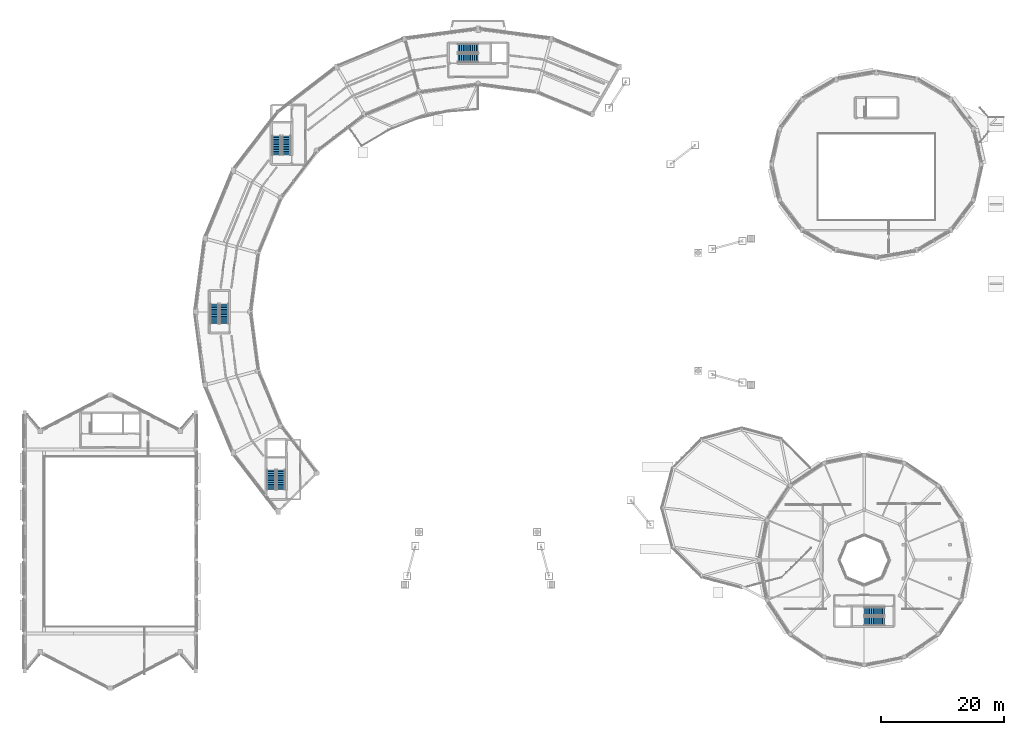
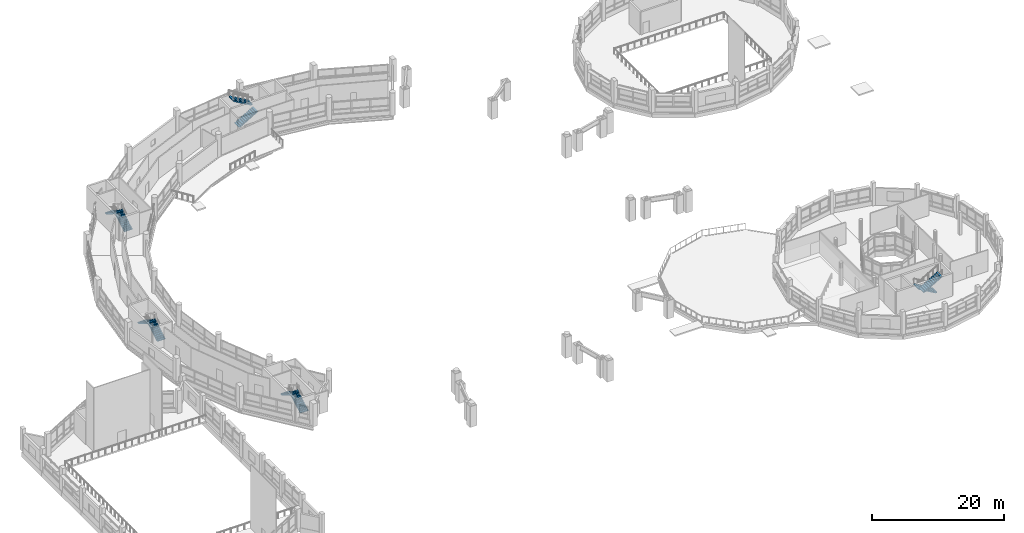
# One storey, part 116 of 128: 10 stair flights, 5 elements without a shape of their own.
"""IFC4 building model written with IfcOpenShell, lengths in metres."""

from ifc_helpers import new_model, si_unit, direction, frame, origin, place, context, subcontext, project, spatial, polyline, outline, extrude, material, type_object, element, aggregate, save


model = new_model("IFC4")

# Units and contexts
model_context = context("Model", 3, precision=1e-05, world=origin(), true_north=direction((0.0, 1.0)))
body_context = subcontext(model_context, "Body", "Model", "MODEL_VIEW")
ifc_project = project(units=[si_unit("LENGTHUNIT", "METRE"), si_unit("AREAUNIT", "SQUARE_METRE"), si_unit("VOLUMEUNIT", "CUBIC_METRE"), si_unit("PLANEANGLEUNIT", "RADIAN"), si_unit("MASSUNIT", "GRAM", prefix="KILO")], contexts=[model_context])

# Site, building, storey
site_placement = place(None, origin())
site = spatial("IfcSite", under=ifc_project, at=site_placement, CompositionType="ELEMENT")
building_placement = place(site_placement, origin())
building = spatial("IfcBuilding", under=site, at=building_placement, Name="Vespera Passage Community Centre", CompositionType="ELEMENT")
storey_placement = place(building_placement, frame((0.0, 0.0, 4.5)))
storey = spatial("IfcBuildingStorey", under=building, at=storey_placement, Name="L01", CompositionType="ELEMENT", Elevation=4.5)

# Stair, stair flights
ifc_material_1 = material(Name="Concrete f'c 35 MPa", Category="concrete")
stair_type_1 = type_object("IfcStairType", Name="ST-T01", PredefinedType="HALF_TURN_STAIR", material=ifc_material_1)
stair_1_placement = place(storey_placement, origin())
stair_1 = element("IfcStair", 1, at=stair_1_placement, inside=storey, type_object=stair_type_1, Name="L01 Core C1 Exit Stair ST03", PredefinedType="HALF_TURN_STAIR")
ifc_material_2 = material(Name="Concrete f'c 35 MPa", Category="concrete")
stair_flight_type_1 = type_object("IfcStairFlightType", Name="STF-T01", PredefinedType="STRAIGHT", material=ifc_material_2)
stair_flight_1_placement = place(storey_placement, frame((46.73291015625, 91.077880859375, 0.0), z_axis=(0.0, 0.0, 1.0), x_axis=(0.0, 1.0, 0.0)))
stair_flight_1 = element("IfcStairFlight", 2, at=stair_flight_1_placement, type_object=stair_flight_type_1, Name="ST03 flight 1", NumberOfRisers=12, NumberOfTreads=11, PredefinedType="STRAIGHT", RiserHeight=0.175, TreadLength=0.285, context=body_context, shape_type="SweptSolid", body=[
    extrude(outline(polyline([(0.0, 0.0), (0.0, 0.175048828125), (0.284912109375, 0.175048828125), (0.284912109375, 0.35009765625), (0.570068359375, 0.35009765625), (0.570068359375, 0.52490234375), (0.85498046875, 0.52490234375), (0.85498046875, 0.699951171875), (1.139892578125, 0.699951171875), (1.139892578125, 0.875), (1.425048828125, 0.875), (1.425048828125, 1.050048828125), (1.7099609375, 1.050048828125), (1.7099609375, 1.22509765625), (1.9951171875, 1.22509765625), (1.9951171875, 1.39990234375), (2.280029296875, 1.39990234375), (2.280029296875, 1.574951171875), (2.56494140625, 1.574951171875), (2.56494140625, 1.75), (2.85009765625, 1.75), (2.85009765625, 1.925048828125), (3.135009765625, 1.925048828125), (3.135009765625, 2.10009765625), (3.135009765625, 1.7490234375), (0.286376953125, 0.0), (0.0, 0.0)])), frame((0.0, 0.699951171875, 0.0), z_axis=(0.0, -1.0, 0.0), x_axis=(1.0, 0.0, 0.0)), (0.0, 0.0, 1.0), 1.39990234375),
])
stair_flight_2_placement = place(storey_placement, frame((45.133056640625, 94.212890625, 2.10009765625), z_axis=(0.0, 0.0, 1.0), x_axis=(0.0, -1.0, 0.0)))
stair_flight_2 = element("IfcStairFlight", 3, at=stair_flight_2_placement, type_object=stair_flight_type_1, Name="ST03 flight 2", NumberOfRisers=12, NumberOfTreads=11, PredefinedType="STRAIGHT", RiserHeight=0.175, TreadLength=0.285, context=body_context, shape_type="SweptSolid", body=[
    extrude(outline(polyline([(0.0, 0.0), (0.0, 0.175048828125), (0.284912109375, 0.175048828125), (0.284912109375, 0.35009765625), (0.570068359375, 0.35009765625), (0.570068359375, 0.52490234375), (0.85498046875, 0.52490234375), (0.85498046875, 0.699951171875), (1.139892578125, 0.699951171875), (1.139892578125, 0.875), (1.425048828125, 0.875), (1.425048828125, 1.050048828125), (1.7099609375, 1.050048828125), (1.7099609375, 1.22509765625), (1.9951171875, 1.22509765625), (1.9951171875, 1.39990234375), (2.280029296875, 1.39990234375), (2.280029296875, 1.574951171875), (2.56494140625, 1.574951171875), (2.56494140625, 1.75), (2.85009765625, 1.75), (2.85009765625, 1.925048828125), (3.135009765625, 1.925048828125), (3.135009765625, 2.10009765625), (3.135009765625, 1.7490234375), (0.286376953125, 0.0), (0.0, 0.0)])), frame((0.0, 0.699951171875, 0.0), z_axis=(0.0, -1.0, 0.0), x_axis=(1.0, 0.0, 0.0)), (0.0, 0.0, 1.0), 1.39990234375),
])
aggregate(stair_1, [stair_flight_1, stair_flight_2])

ifc_material_3 = material(Name="Concrete f'c 35 MPa", Category="concrete")
stair_type_2 = type_object("IfcStairType", Name="ST-T04", PredefinedType="HALF_TURN_STAIR", material=ifc_material_3)
stair_2_placement = place(storey_placement, origin())
stair_2 = element("IfcStair", 4, at=stair_2_placement, inside=storey, type_object=stair_type_2, Name="L01 Core C2 Exit Stair ST04", PredefinedType="HALF_TURN_STAIR")
ifc_material_4 = material(Name="Concrete f'c 35 MPa", Category="concrete")
stair_flight_type_2 = type_object("IfcStairFlightType", Name="STF-T04", PredefinedType="STRAIGHT", material=ifc_material_4)
stair_flight_3_placement = place(storey_placement, frame((36.60009765625, 63.574951171875, 0.0), z_axis=(0.0, 0.0, 1.0), x_axis=(0.0, 1.0, 0.0)))
stair_flight_3 = element("IfcStairFlight", 5, at=stair_flight_3_placement, type_object=stair_flight_type_2, Name="ST04 flight 1", NumberOfRisers=12, NumberOfTreads=11, PredefinedType="STRAIGHT", RiserHeight=0.175, TreadLength=0.29, context=body_context, shape_type="SweptSolid", body=[
    extrude(outline(polyline([(0.0, 0.0), (0.0, 0.175048828125), (0.2900390625, 0.175048828125), (0.2900390625, 0.35009765625), (0.580078125, 0.35009765625), (0.580078125, 0.52490234375), (0.8701171875, 0.52490234375), (0.8701171875, 0.699951171875), (1.159912109375, 0.699951171875), (1.159912109375, 0.875), (1.449951171875, 0.875), (1.449951171875, 1.050048828125), (1.739990234375, 1.050048828125), (1.739990234375, 1.22509765625), (2.030029296875, 1.22509765625), (2.030029296875, 1.39990234375), (2.320068359375, 1.39990234375), (2.320068359375, 1.574951171875), (2.610107421875, 1.574951171875), (2.610107421875, 1.75), (2.89990234375, 1.75), (2.89990234375, 1.925048828125), (3.18994140625, 1.925048828125), (3.18994140625, 2.10009765625), (3.18994140625, 1.75), (0.2900390625, 0.0), (0.0, 0.0)])), frame((0.0, 0.699951171875, 0.0), z_axis=(0.0, -1.0, 0.0), x_axis=(1.0, 0.0, 0.0)), (0.0, 0.0, 1.0), 1.39990234375),
])
stair_flight_4_placement = place(storey_placement, frame((35.0, 66.764892578125, 2.10009765625), z_axis=(0.0, 0.0, 1.0), x_axis=(0.0, -1.0, 0.0)))
stair_flight_4 = element("IfcStairFlight", 6, at=stair_flight_4_placement, type_object=stair_flight_type_2, Name="ST04 flight 2", NumberOfRisers=12, NumberOfTreads=11, PredefinedType="STRAIGHT", RiserHeight=0.175, TreadLength=0.29, context=body_context, shape_type="SweptSolid", body=[
    extrude(outline(polyline([(0.0, 0.0), (0.0, 0.175048828125), (0.2900390625, 0.175048828125), (0.2900390625, 0.35009765625), (0.580078125, 0.35009765625), (0.580078125, 0.52490234375), (0.8701171875, 0.52490234375), (0.8701171875, 0.699951171875), (1.159912109375, 0.699951171875), (1.159912109375, 0.875), (1.449951171875, 0.875), (1.449951171875, 1.050048828125), (1.739990234375, 1.050048828125), (1.739990234375, 1.22509765625), (2.030029296875, 1.22509765625), (2.030029296875, 1.39990234375), (2.320068359375, 1.39990234375), (2.320068359375, 1.574951171875), (2.610107421875, 1.574951171875), (2.610107421875, 1.75), (2.89990234375, 1.75), (2.89990234375, 1.925048828125), (3.18994140625, 1.925048828125), (3.18994140625, 2.10009765625), (3.18994140625, 1.75), (0.2900390625, 0.0), (0.0, 0.0)])), frame((0.0, 0.699951171875, 0.0), z_axis=(0.0, -1.0, 0.0), x_axis=(1.0, 0.0, 0.0)), (0.0, 0.0, 1.0), 1.39990234375),
])
aggregate(stair_2, [stair_flight_3, stair_flight_4])

ifc_material_5 = material(Name="Concrete f'c 35 MPa", Category="concrete")
stair_type_3 = type_object("IfcStairType", Name="ST-T07", PredefinedType="HALF_TURN_STAIR", material=ifc_material_5)
stair_3_placement = place(storey_placement, origin())
stair_3 = element("IfcStair", 7, at=stair_3_placement, inside=storey, type_object=stair_type_3, Name="L01 Core C3 Exit Stair ST05", PredefinedType="HALF_TURN_STAIR")
ifc_material_6 = material(Name="Concrete f'c 35 MPa", Category="concrete")
stair_flight_type_3 = type_object("IfcStairFlightType", Name="STF-T07", PredefinedType="STRAIGHT", material=ifc_material_6)
stair_flight_5_placement = place(storey_placement, frame((45.861083984375, 36.469970703125, 0.0), z_axis=(0.0, 0.0, 1.0), x_axis=(0.0, 1.0, 0.0)))
stair_flight_5 = element("IfcStairFlight", 8, at=stair_flight_5_placement, type_object=stair_flight_type_3, Name="ST05 flight 1", NumberOfRisers=12, NumberOfTreads=11, PredefinedType="STRAIGHT", RiserHeight=0.175, TreadLength=0.295, context=body_context, shape_type="SweptSolid", body=[
    extrude(outline(polyline([(0.0, 0.0), (0.0, 0.175048828125), (0.294921875, 0.175048828125), (0.294921875, 0.35009765625), (0.590087890625, 0.35009765625), (0.590087890625, 0.52490234375), (0.885009765625, 0.52490234375), (0.885009765625, 0.699951171875), (1.179931640625, 0.699951171875), (1.179931640625, 0.875), (1.47509765625, 0.875), (1.47509765625, 1.050048828125), (1.77001953125, 1.050048828125), (1.77001953125, 1.22509765625), (2.06494140625, 1.22509765625), (2.06494140625, 1.39990234375), (2.360107421875, 1.39990234375), (2.360107421875, 1.574951171875), (2.655029296875, 1.574951171875), (2.655029296875, 1.75), (2.949951171875, 1.75), (2.949951171875, 1.925048828125), (3.2451171875, 1.925048828125), (3.2451171875, 2.10009765625), (3.2451171875, 1.750732421875), (0.293701171875, 0.0), (0.0, 0.0)])), frame((0.0, 0.699951171875, 0.0), z_axis=(0.0, -1.0, 0.0), x_axis=(1.0, 0.0, 0.0)), (0.0, 0.0, 1.0), 1.39990234375),
])
stair_flight_6_placement = place(storey_placement, frame((44.260986328125, 39.715087890625, 2.10009765625), z_axis=(0.0, 0.0, 1.0), x_axis=(0.0, -1.0, 0.0)))
stair_flight_6 = element("IfcStairFlight", 9, at=stair_flight_6_placement, type_object=stair_flight_type_3, Name="ST05 flight 2", NumberOfRisers=12, NumberOfTreads=11, PredefinedType="STRAIGHT", RiserHeight=0.175, TreadLength=0.295, context=body_context, shape_type="SweptSolid", body=[
    extrude(outline(polyline([(0.0, 0.0), (0.0, 0.175048828125), (0.294921875, 0.175048828125), (0.294921875, 0.35009765625), (0.590087890625, 0.35009765625), (0.590087890625, 0.52490234375), (0.885009765625, 0.52490234375), (0.885009765625, 0.699951171875), (1.179931640625, 0.699951171875), (1.179931640625, 0.875), (1.47509765625, 0.875), (1.47509765625, 1.050048828125), (1.77001953125, 1.050048828125), (1.77001953125, 1.22509765625), (2.06494140625, 1.22509765625), (2.06494140625, 1.39990234375), (2.360107421875, 1.39990234375), (2.360107421875, 1.574951171875), (2.655029296875, 1.574951171875), (2.655029296875, 1.75), (2.949951171875, 1.75), (2.949951171875, 1.925048828125), (3.2451171875, 1.925048828125), (3.2451171875, 2.10009765625), (3.2451171875, 1.750732421875), (0.293701171875, 0.0), (0.0, 0.0)])), frame((0.0, 0.699951171875, 0.0), z_axis=(0.0, -1.0, 0.0), x_axis=(1.0, 0.0, 0.0)), (0.0, 0.0, 1.0), 1.39990234375),
])
aggregate(stair_3, [stair_flight_5, stair_flight_6])

ifc_material_7 = material(Name="Concrete f'c 35 MPa", Category="concrete")
stair_type_4 = type_object("IfcStairType", Name="ST-T10", PredefinedType="HALF_TURN_STAIR", material=ifc_material_7)
stair_4_placement = place(storey_placement, origin())
stair_4 = element("IfcStair", 10, at=stair_4_placement, inside=storey, type_object=stair_type_4, Name="L01 Core C4 Exit Stair ST06", PredefinedType="HALF_TURN_STAIR")
ifc_material_8 = material(Name="Concrete f'c 35 MPa", Category="concrete")
stair_flight_type_4 = type_object("IfcStairFlightType", Name="STF-T10", PredefinedType="STRAIGHT", material=ifc_material_8)
stair_flight_7_placement = place(storey_placement, frame((74.705078125, 106.89990234375, 0.0), z_axis=(0.0, 0.0, 1.0), x_axis=(1.0, 0.0, 0.0)))
stair_flight_7 = element("IfcStairFlight", 11, at=stair_flight_7_placement, type_object=stair_flight_type_4, Name="ST06 flight 1", NumberOfRisers=12, NumberOfTreads=11, PredefinedType="STRAIGHT", RiserHeight=0.175, TreadLength=0.3, context=body_context, shape_type="SweptSolid", body=[
    extrude(outline(polyline([(0.0, 0.0), (0.0, 0.175048828125), (0.300048828125, 0.175048828125), (0.300048828125, 0.35009765625), (0.60009765625, 0.35009765625), (0.60009765625, 0.52490234375), (0.89990234375, 0.52490234375), (0.89990234375, 0.699951171875), (1.199951171875, 0.699951171875), (1.199951171875, 0.875), (1.5, 0.875), (1.5, 1.050048828125), (1.800048828125, 1.050048828125), (1.800048828125, 1.22509765625), (2.10009765625, 1.22509765625), (2.10009765625, 1.39990234375), (2.39990234375, 1.39990234375), (2.39990234375, 1.574951171875), (2.699951171875, 1.574951171875), (2.699951171875, 1.75), (3.0, 1.75), (3.0, 1.925048828125), (3.300048828125, 1.925048828125), (3.300048828125, 2.10009765625), (3.300048828125, 1.75146484375), (0.297607421875, 0.0), (0.0, 0.0)])), frame((0.0, 0.699951171875, 0.0), z_axis=(0.0, -1.0, 0.0), x_axis=(1.0, 0.0, 0.0)), (0.0, 0.0, 1.0), 1.39990234375),
])
stair_flight_8_placement = place(storey_placement, frame((78.0048828125, 108.5, 2.10009765625), z_axis=(0.0, 0.0, 1.0), x_axis=(-1.0, 0.0, 0.0)))
stair_flight_8 = element("IfcStairFlight", 12, at=stair_flight_8_placement, type_object=stair_flight_type_4, Name="ST06 flight 2", NumberOfRisers=12, NumberOfTreads=11, PredefinedType="STRAIGHT", RiserHeight=0.175, TreadLength=0.3, context=body_context, shape_type="SweptSolid", body=[
    extrude(outline(polyline([(0.0, 0.0), (0.0, 0.175048828125), (0.300048828125, 0.175048828125), (0.300048828125, 0.35009765625), (0.60009765625, 0.35009765625), (0.60009765625, 0.52490234375), (0.89990234375, 0.52490234375), (0.89990234375, 0.699951171875), (1.199951171875, 0.699951171875), (1.199951171875, 0.875), (1.5, 0.875), (1.5, 1.050048828125), (1.800048828125, 1.050048828125), (1.800048828125, 1.22509765625), (2.10009765625, 1.22509765625), (2.10009765625, 1.39990234375), (2.39990234375, 1.39990234375), (2.39990234375, 1.574951171875), (2.699951171875, 1.574951171875), (2.699951171875, 1.75), (3.0, 1.75), (3.0, 1.925048828125), (3.300048828125, 1.925048828125), (3.300048828125, 2.10009765625), (3.300048828125, 1.75146484375), (0.297607421875, 0.0), (0.0, 0.0)])), frame((0.0, 0.699951171875, 0.0), z_axis=(0.0, -1.0, 0.0), x_axis=(1.0, 0.0, 0.0)), (0.0, 0.0, 1.0), 1.39990234375),
])
aggregate(stair_4, [stair_flight_7, stair_flight_8])

stair_5_placement = place(storey_placement, origin())
stair_5 = element("IfcStair", 13, at=stair_5_placement, inside=storey, type_object=stair_type_4, Name="L01 Core C7 Exit Stair ST08", PredefinedType="HALF_TURN_STAIR")
stair_flight_9_placement = place(storey_placement, frame((144.294921875, 16.60009765625, 0.0), z_axis=(0.0, 0.0, 1.0), x_axis=(-1.0, 0.0, 0.0)))
stair_flight_9 = element("IfcStairFlight", 14, at=stair_flight_9_placement, type_object=stair_flight_type_4, Name="ST08 flight 1", NumberOfRisers=12, NumberOfTreads=11, PredefinedType="STRAIGHT", RiserHeight=0.175, TreadLength=0.3, context=body_context, shape_type="SweptSolid", body=[
    extrude(outline(polyline([(0.0, 0.0), (0.0, 0.175048828125), (0.300048828125, 0.175048828125), (0.300048828125, 0.35009765625), (0.60009765625, 0.35009765625), (0.60009765625, 0.52490234375), (0.89990234375, 0.52490234375), (0.89990234375, 0.699951171875), (1.199951171875, 0.699951171875), (1.199951171875, 0.875), (1.5, 0.875), (1.5, 1.050048828125), (1.800048828125, 1.050048828125), (1.800048828125, 1.22509765625), (2.10009765625, 1.22509765625), (2.10009765625, 1.39990234375), (2.39990234375, 1.39990234375), (2.39990234375, 1.574951171875), (2.699951171875, 1.574951171875), (2.699951171875, 1.75), (3.0, 1.75), (3.0, 1.925048828125), (3.300048828125, 1.925048828125), (3.300048828125, 2.10009765625), (3.300048828125, 1.75146484375), (0.297607421875, 0.0), (0.0, 0.0)])), frame((0.0, 0.699951171875, 0.0), z_axis=(0.0, -1.0, 0.0), x_axis=(1.0, 0.0, 0.0)), (0.0, 0.0, 1.0), 1.39990234375),
])
stair_flight_10_placement = place(storey_placement, frame((140.9951171875, 15.0, 2.10009765625), z_axis=(0.0, 0.0, 1.0), x_axis=(1.0, 0.0, 0.0)))
stair_flight_10 = element("IfcStairFlight", 15, at=stair_flight_10_placement, type_object=stair_flight_type_4, Name="ST08 flight 2", NumberOfRisers=12, NumberOfTreads=11, PredefinedType="STRAIGHT", RiserHeight=0.175, TreadLength=0.3, context=body_context, shape_type="SweptSolid", body=[
    extrude(outline(polyline([(0.0, 0.0), (0.0, 0.175048828125), (0.300048828125, 0.175048828125), (0.300048828125, 0.35009765625), (0.60009765625, 0.35009765625), (0.60009765625, 0.52490234375), (0.89990234375, 0.52490234375), (0.89990234375, 0.699951171875), (1.199951171875, 0.699951171875), (1.199951171875, 0.875), (1.5, 0.875), (1.5, 1.050048828125), (1.800048828125, 1.050048828125), (1.800048828125, 1.22509765625), (2.10009765625, 1.22509765625), (2.10009765625, 1.39990234375), (2.39990234375, 1.39990234375), (2.39990234375, 1.574951171875), (2.699951171875, 1.574951171875), (2.699951171875, 1.75), (3.0, 1.75), (3.0, 1.925048828125), (3.300048828125, 1.925048828125), (3.300048828125, 2.10009765625), (3.300048828125, 1.75146484375), (0.297607421875, 0.0), (0.0, 0.0)])), frame((0.0, 0.699951171875, 0.0), z_axis=(0.0, -1.0, 0.0), x_axis=(1.0, 0.0, 0.0)), (0.0, 0.0, 1.0), 1.39990234375),
])
aggregate(stair_5, [stair_flight_9, stair_flight_10])

save(model, "model.ifc")
